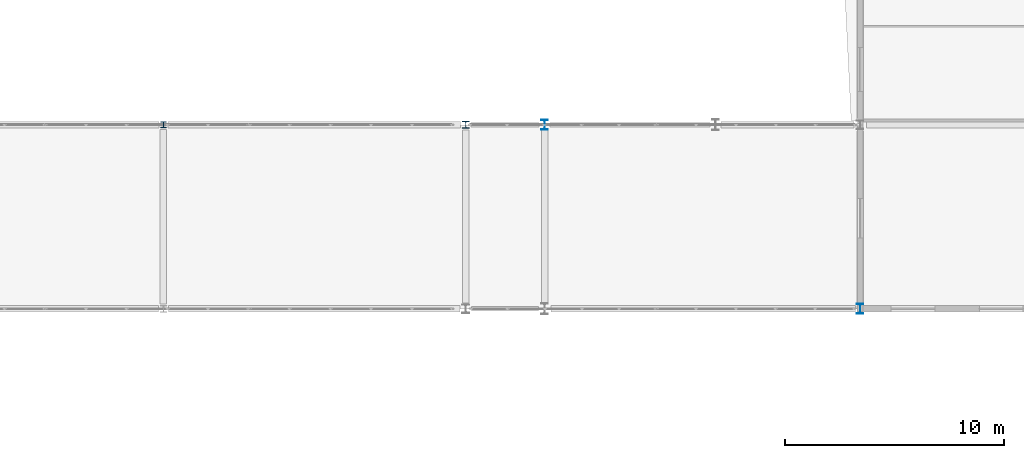
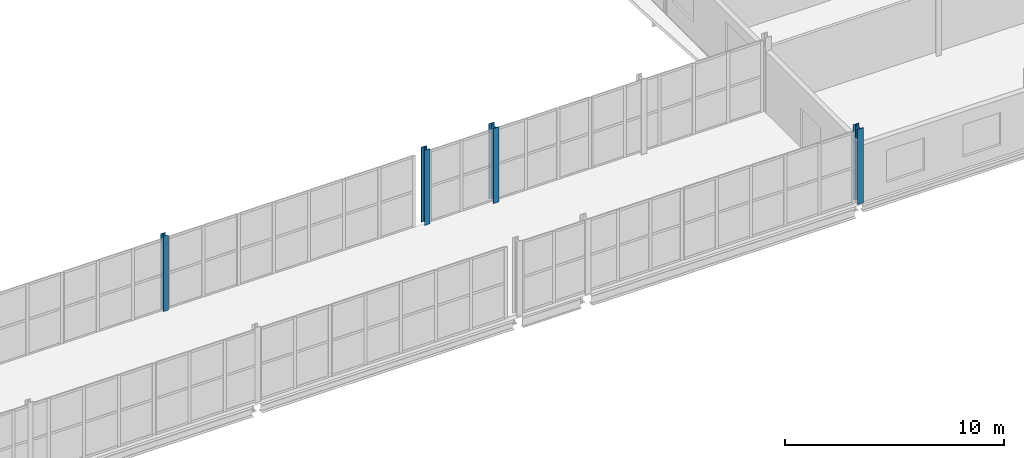
# One storey, part 18 of 121: 4 columns.
"""IFC4 building model written with IfcOpenShell, lengths in metres."""

from ifc_helpers import new_model, si_unit, direction, frame, origin, origin_2d, place, context, subcontext, project, spatial, i_section, extrude, material, material_profile, profile_set, type_object, element, save


model = new_model("IFC4")

# Units and contexts
model_context = context("Model", 3, precision=1e-05, world=origin(), true_north=direction((0.0, 1.0)))
body_context = subcontext(model_context, "Body", "Model", "MODEL_VIEW")
ifc_project = project(units=[si_unit("LENGTHUNIT", "METRE"), si_unit("AREAUNIT", "SQUARE_METRE"), si_unit("VOLUMEUNIT", "CUBIC_METRE"), si_unit("PLANEANGLEUNIT", "RADIAN"), si_unit("MASSUNIT", "GRAM", prefix="KILO")], contexts=[model_context])

# Site, building, storey
site_placement = place(None, origin())
site = spatial("IfcSite", under=ifc_project, at=site_placement, CompositionType="ELEMENT")
building_placement = place(site_placement, origin())
building = spatial("IfcBuilding", under=site, at=building_placement, Name="Vinh Khe Railworks Police Headquarters", CompositionType="ELEMENT")
storey_placement = place(building_placement, frame((0.0, 0.0, 4.800048828125)))
storey = spatial("IfcBuildingStorey", under=building, at=storey_placement, Name="L01", CompositionType="ELEMENT", Elevation=4.800048828125)

# Columns
ifc_material = material(Name="Steel S355JR", Category="steel")
ifc_material_profile_1 = material_profile(ifc_material, i_section(OverallWidth=0.300048828125, OverallDepth=0.43994140625, WebThickness=0.011474609375, FlangeThickness=0.02099609375, FilletRadius=0.027099609375, at=origin_2d()), Name="HEA 450")
ifc_profile_set_1 = profile_set([ifc_material_profile_1], Name="Steel S355JR")
column_type_1 = type_object("IfcColumnType", Name="Steel Column HEA 450", PredefinedType="COLUMN", material=ifc_profile_set_1)
for number, where, z_axis, x_axis, name in (
    (1, (63.60009765625, 104.39990234375, 0.0), (0.0, 0.0, 1.0), (1.0, 0.0, 0.0), "Column COL-L01-SC-14-1130"),
    (2, (78.0, 96.0, 0.0), (0.0, 0.0, 1.0), (1.0, 0.0, 0.0), "Column COL-L01-SC-14-1153"),
):
    element("IfcColumn", number, at=place(storey_placement, frame(where, z_axis=z_axis, x_axis=x_axis)), inside=storey, type_object=column_type_1, Name=name, PredefinedType="COLUMN", context=body_context, shape_type="SweptSolid", body=[
        extrude(i_section(OverallWidth=0.300048828125, OverallDepth=0.43994140625, WebThickness=0.011474609375, FlangeThickness=0.02099609375, FilletRadius=0.027099609375, at=origin_2d()), origin(), (0.0, 0.0, 1.0), 4.199951171875),
    ])
ifc_material_profile_2 = material_profile(ifc_material, i_section(OverallWidth=0.260009765625, OverallDepth=0.260009765625, WebThickness=0.010009765625, FlangeThickness=0.017578125, FilletRadius=0.02392578125, at=origin_2d()), Name="HEB 260")
ifc_profile_set_2 = profile_set([ifc_material_profile_2], Name="Steel S355JR")
column_type_2 = type_object("IfcColumnType", Name="Steel Column HEB 260", PredefinedType="COLUMN", material=ifc_profile_set_2)
column_1_placement = place(storey_placement, frame((46.199951171875, 104.39990234375, 0.0), z_axis=(0.0, 0.0, 1.0), x_axis=(1.0, 0.0, 0.0)))
element("IfcColumn", 3, at=column_1_placement, inside=storey, type_object=column_type_2, Name="Column COL-L01-SC-12-0932", PredefinedType="COLUMN", context=body_context, shape_type="SweptSolid", body=[
    extrude(i_section(OverallWidth=0.260009765625, OverallDepth=0.260009765625, WebThickness=0.010009765625, FlangeThickness=0.017578125, FilletRadius=0.02392578125, at=origin_2d()), origin(), (0.0, 0.0, 1.0), 4.199951171875),
])
ifc_material_profile_3 = material_profile(ifc_material, i_section(OverallWidth=0.300048828125, OverallDepth=0.300048828125, WebThickness=0.010986328125, FlangeThickness=0.01904296875, FilletRadius=0.027099609375, at=origin_2d()), Name="HEB 300")
ifc_profile_set_3 = profile_set([ifc_material_profile_3], Name="Steel S355JR")
column_type_3 = type_object("IfcColumnType", Name="Steel Column HEB 300", PredefinedType="COLUMN", material=ifc_profile_set_3)
column_2_placement = place(storey_placement, frame((60.0, 104.39990234375, 0.0), z_axis=(0.0, 0.0, 1.0), x_axis=(1.0, 0.0, 0.0)))
element("IfcColumn", 4, at=column_2_placement, inside=storey, type_object=column_type_3, Name="Column COL-L01-SC-11-1057", PredefinedType="COLUMN", context=body_context, shape_type="SweptSolid", body=[
    extrude(i_section(OverallWidth=0.300048828125, OverallDepth=0.300048828125, WebThickness=0.010986328125, FlangeThickness=0.01904296875, FilletRadius=0.027099609375, at=origin_2d()), origin(), (0.0, 0.0, 1.0), 4.199951171875),
])

save(model, "model.ifc")
